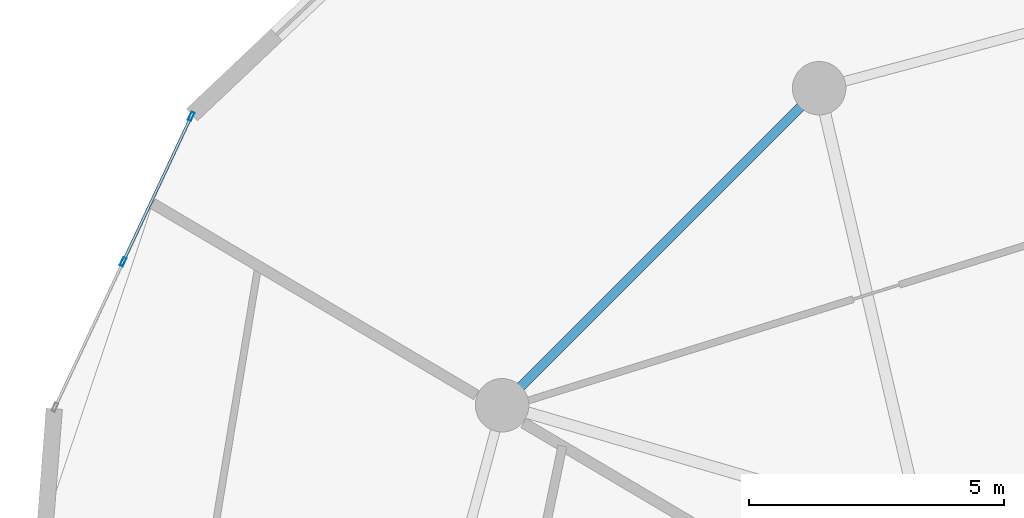
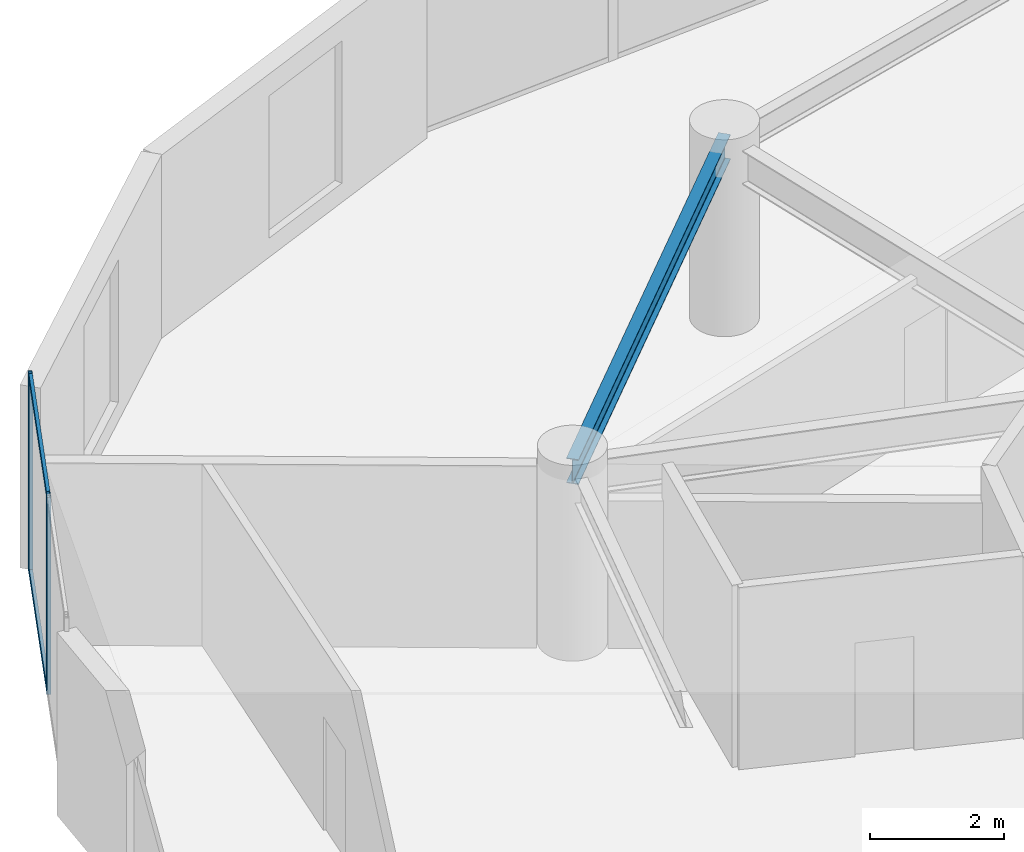
# One storey, part 15 of 25: 4 members, 1 beam, 1 element without a shape of its own.
"""IFC4 building model written with IfcOpenShell, lengths in metres."""

from ifc_helpers import new_model, si_unit, direction, frame, origin, origin_2d, place, context, subcontext, project, spatial, hollow_rectangle, i_section, extrude, source, transform, mapped, material, layer, layer_set, material_profile, profile_set, type_object, element, aggregate, save


model = new_model("IFC4")

# Units and contexts
model_context = context("Model", 3, precision=1e-05, world=origin(), true_north=direction((0.0, 1.0)))
body_context = subcontext(model_context, "Body", "Model", "MODEL_VIEW")
ifc_project = project(units=[si_unit("LENGTHUNIT", "METRE"), si_unit("AREAUNIT", "SQUARE_METRE"), si_unit("VOLUMEUNIT", "CUBIC_METRE"), si_unit("PLANEANGLEUNIT", "RADIAN"), si_unit("MASSUNIT", "GRAM", prefix="KILO")], contexts=[model_context])

# Site, building, storey
site_placement = place(None, origin())
site = spatial("IfcSite", under=ifc_project, at=site_placement, CompositionType="ELEMENT")
building_placement = place(site_placement, origin())
building = spatial("IfcBuilding", under=site, at=building_placement, Name="Solvirekh Grand Hotel", CompositionType="ELEMENT")
storey_placement = place(building_placement, frame((0.0, 0.0, 120.60009765625)))
storey = spatial("IfcBuildingStorey", under=building, at=storey_placement, Name="L30", CompositionType="ELEMENT", Elevation=120.60009765625)

# Beam
ifc_material_1 = material(Name="Steel S355", Category="steel")
ifc_material_profile_1 = material_profile(ifc_material_1, i_section(OverallWidth=0.18994140625, OverallDepth=0.45703125, WebThickness=0.009033203125, FlangeThickness=0.013916015625, FilletRadius=0.012939453125, at=origin_2d()), Name="W460X74")
ifc_profile_set_1 = profile_set([ifc_material_profile_1], Name="Steel S355")
beam_type = type_object("IfcBeamType", Name="Spandrel_Ring_W460", PredefinedType="SPANDREL", material=ifc_profile_set_1)
beam_placement = place(storey_placement, frame((-8.5, 14.721923828125, 3.121826171875), z_axis=(-0.707106781187, -0.707106781187, 0.0), x_axis=(0.707106781187, -0.707106781187, 0.0)))
element("IfcBeam", 1, at=beam_placement, inside=storey, type_object=beam_type, Name="L30 perimeter spandrel beam 5", PredefinedType="SPANDREL", context=body_context, shape_type="SweptSolid", body=[
    extrude(i_section(OverallWidth=0.18994140625, OverallDepth=0.45703125, WebThickness=0.009033203125, FlangeThickness=0.013916015625, FilletRadius=0.012939453125, at=origin_2d()), origin(), (0.0, 0.0, 1.0), 8.799072265625),
])

# Curtain wall, members
ifc_material_2 = material(Name="Anodized Bronze Aluminium 6063-T6", Category="aluminium")
ifc_layer = layer(ifc_material_2, 0.175048828125)
ifc_layer_set = layer_set([ifc_layer], Name="Anodized Bronze Aluminium 6063-T6")
curtain_wall_type = type_object("IfcCurtainWallType", Name="CW_Sys3_MidZoneFlushBronzeCW", PredefinedType="NOTDEFINED", material=ifc_layer_set)
curtain_wall_placement = place(storey_placement, origin())
curtain_wall = element("IfcCurtainWall", 2, at=curtain_wall_placement, inside=storey, type_object=curtain_wall_type, Name="L30 unitised bronze-glass curtain wall CW-L30-C11", PredefinedType="NOTDEFINED")
ifc_material_profile_2 = material_profile(ifc_material_2, hollow_rectangle(XDim=0.06494140625, YDim=0.175048828125, WallThickness=0.0048828125, at=origin_2d()), Name="ALU RHS 175X65X5")
ifc_profile_set_2 = profile_set([ifc_material_profile_2], Name="Anodized Bronze Aluminium 6063-T6")
member_type_1 = type_object("IfcMemberType", Name="CWMullion_Sys3", PredefinedType="MULLION", material=ifc_profile_set_2)
shared_shape_1 = source(origin(), body_context, "Body", "SweptSolid", [
    extrude(hollow_rectangle(XDim=0.06494140625, YDim=0.175048828125, WallThickness=0.0048828125, at=origin_2d()), origin(), (0.0, 0.0, 1.0), 3.599853515625),
])
member_1_placement = place(storey_placement, frame((-20.82177734375, 14.169677734375, 0.0), z_axis=(0.0, 0.0, 1.0), x_axis=(0.905564495067, -0.424208610562, 0.0)))
member_1 = element("IfcMember", 3, at=member_1_placement, type_object=member_type_1, Name="U03 mullion 1", PredefinedType="MULLION", context=body_context, shape_type="MappedRepresentation", body=[
    mapped(shared_shape_1, transform((0.0, 0.0, 0.0), x_axis=(1.0, 0.0, 0.0), y_axis=(0.0, 1.0, 0.0), z_axis=(0.0, 0.0, 1.0), scale=1.0)),
])
member_2_placement = place(storey_placement, frame((-22.158935546875, 11.31494140625, 0.0), z_axis=(0.0, 0.0, 1.0), x_axis=(0.905564495067, -0.424208610562, 0.0)))
member_2 = element("IfcMember", 4, at=member_2_placement, type_object=member_type_1, Name="U03 mullion 2", PredefinedType="MULLION", context=body_context, shape_type="MappedRepresentation", body=[
    mapped(shared_shape_1, transform((0.0, 0.0, 0.0), x_axis=(1.0, 0.0, 0.0), y_axis=(0.0, 1.0, 0.0), z_axis=(0.0, 0.0, 1.0), scale=1.0)),
])
ifc_material_profile_3 = material_profile(ifc_material_2, hollow_rectangle(XDim=0.054931640625, YDim=0.1201171875, WallThickness=0.00390625, at=origin_2d()), Name="ALU RHS 120X55X4")
ifc_profile_set_3 = profile_set([ifc_material_profile_3], Name="Anodized Bronze Aluminium 6063-T6")
member_type_2 = type_object("IfcMemberType", Name="CWTransom_Sys3", PredefinedType="USERDEFINED", material=ifc_profile_set_3)
shared_shape_2 = source(origin(), body_context, "Body", "SweptSolid", [
    extrude(hollow_rectangle(XDim=0.054931640625, YDim=0.1201171875, WallThickness=0.00390625, at=origin_2d()), origin(), (0.0, 0.0, 1.0), 3.087158203125),
])
member_3_placement = place(storey_placement, frame((-20.835693359375, 14.14013671875, 0.02734375), z_axis=(-0.424196805099, -0.905570025202, 0.0), x_axis=(0.905570025202, -0.424196805099, 0.0)))
member_3 = element("IfcMember", 5, at=member_3_placement, type_object=member_type_2, Name="U03 transom 1.1", ObjectType="TRANSOM", PredefinedType="USERDEFINED", context=body_context, shape_type="MappedRepresentation", body=[
    mapped(shared_shape_2, transform((0.0, 0.0, 0.0), x_axis=(1.0, 0.0, 0.0), y_axis=(0.0, 1.0, 0.0), z_axis=(0.0, 0.0, 1.0), scale=1.0)),
])
member_4_placement = place(storey_placement, frame((-20.835693359375, 14.14013671875, 3.572509765625), z_axis=(-0.424196805099, -0.905570025202, 0.0), x_axis=(0.905570025202, -0.424196805099, 0.0)))
member_4 = element("IfcMember", 6, at=member_4_placement, type_object=member_type_2, Name="U03 transom 1.2", ObjectType="TRANSOM", PredefinedType="USERDEFINED", context=body_context, shape_type="MappedRepresentation", body=[
    mapped(shared_shape_2, transform((0.0, 0.0, 0.0), x_axis=(1.0, 0.0, 0.0), y_axis=(0.0, 1.0, 0.0), z_axis=(0.0, 0.0, 1.0), scale=1.0)),
])
aggregate(curtain_wall, [member_1, member_2, member_3, member_4])

save(model, "model.ifc")
